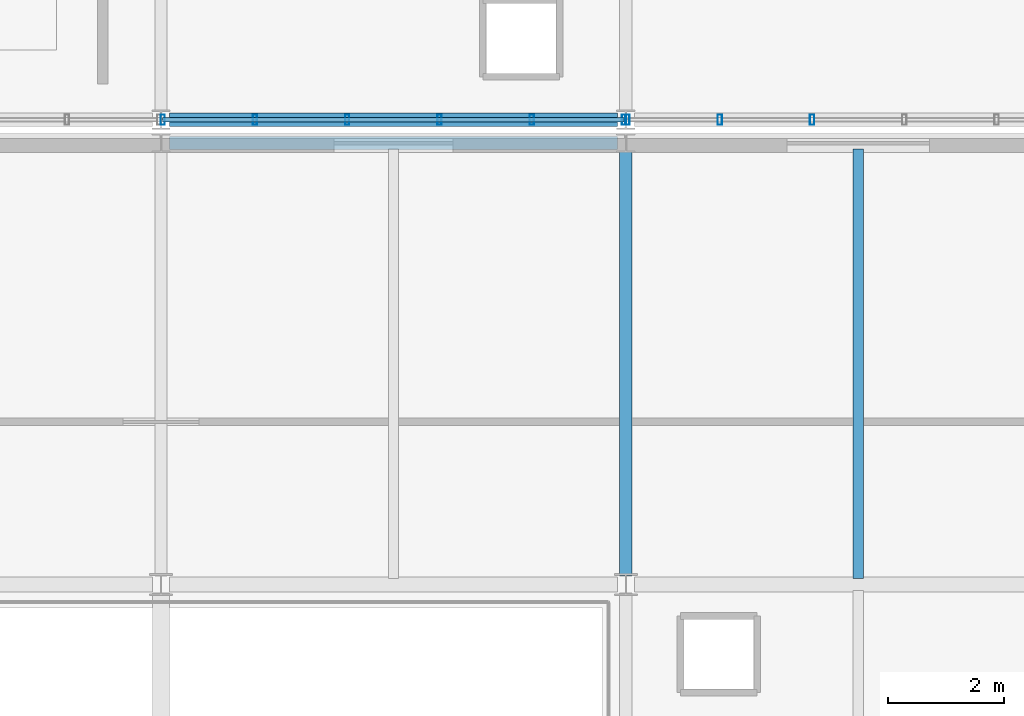
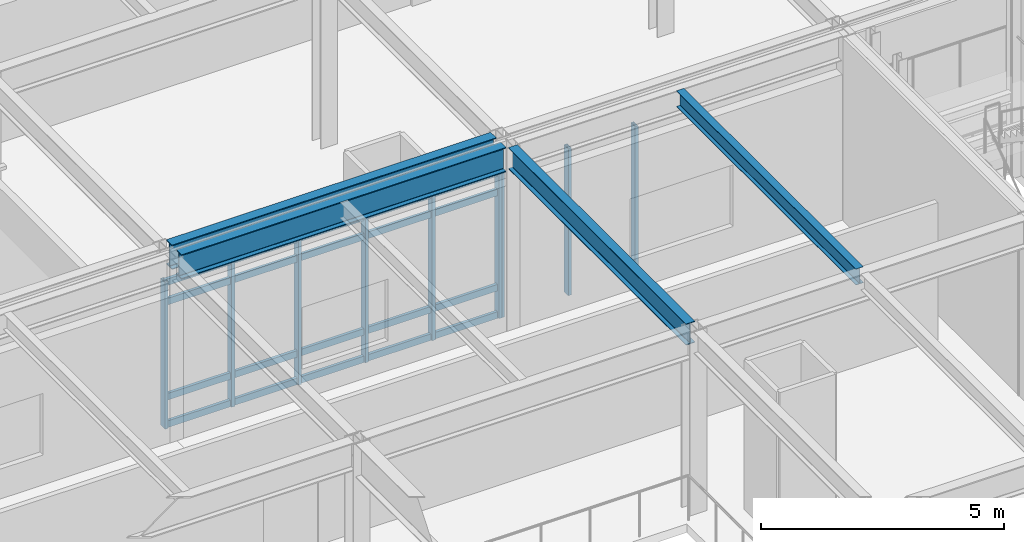
# One storey, part 65 of 104: 13 members, 4 beams, 2 elements without a shape of their own.
"""IFC4 building model written with IfcOpenShell, lengths in metres."""

import ifcopenshell
import ifcopenshell.guid

model = None  # the IFC model being written
_history = None  # IfcOwnerHistory: only IFC2X3 demands one
_inside = {}  # id of a spatial element -> (the spatial element, [elements in it])
_under = {}  # id of a project, library or spatial element -> (it, [spatial elements below it])
_declared = {}  # id of a project -> (the project, [libraries it declares])
_typed = {}  # id of a type object -> (the type object, [elements of that type])
_made_of = {}  # id of a material, layer set ... -> (it, [elements and type objects made of it])


def new_model(schema):
    """Start an empty IFC model of exactly this schema.

    Asked for "IFC4X3", IfcOpenShell would pick the latest addendum, in which some entities
    have other attributes; the version numbers below select the first issue.
    IFC2X3 requires an IfcOwnerHistory on every rooted entity: one is made here for all.
    """
    global model, _history
    if schema == "IFC4X3":
        model = ifcopenshell.file(schema_version=(4, 3, 0, 0))
    else:
        model = ifcopenshell.file(schema=schema)
    _inside.clear()
    _under.clear()
    _declared.clear()
    _typed.clear()
    _made_of.clear()
    _history = None
    if model.schema == "IFC2X3":
        org = make("IfcOrganization", Name="unknown")
        user = make(
            "IfcPersonAndOrganization",
            ThePerson=make("IfcPerson", FamilyName="unknown"),
            TheOrganization=org,
        )
        app = make(
            "IfcApplication",
            ApplicationDeveloper=org,
            Version="unknown",
            ApplicationFullName="unknown",
            ApplicationIdentifier="unknown",
        )
        _history = make(
            "IfcOwnerHistory",
            OwningUser=user,
            OwningApplication=app,
            ChangeAction="ADDED",
            CreationDate=0,
        )
    return model


def make(cls, **values):
    """One entity of the class cls with the attributes given. An attribute that is None is left unset."""
    return model.create_entity(
        cls, **{name: value for name, value in values.items() if value is not None}
    )


def rooted(cls, **values):
    """An entity with a GlobalId (a new one), such as an element, a storey or a relation."""
    return make(cls, GlobalId=ifcopenshell.guid.new(), OwnerHistory=_history, **values)


def si_unit(unit_type, name, prefix=None):
    """IfcSIUnit, for example si_unit("LENGTHUNIT", "METRE", prefix="MILLI")."""
    return make("IfcSIUnit", UnitType=unit_type, Prefix=prefix, Name=name)


def assignment(units):
    """IfcUnitAssignment: the units of a project."""
    return None if units is None else make("IfcUnitAssignment", Units=units)


def point(xyz):
    """IfcCartesianPoint."""
    return None if xyz is None else make("IfcCartesianPoint", Coordinates=xyz)


def direction(xyz):
    """IfcDirection."""
    return None if xyz is None else make("IfcDirection", DirectionRatios=xyz)


def frame(location, z_axis=None, x_axis=None):
    """IfcAxis2Placement3D, a coordinate frame: its origin and axes. An axis left out is left unset."""
    return make(
        "IfcAxis2Placement3D",
        Location=point(location),
        Axis=direction(z_axis),
        RefDirection=direction(x_axis),
    )


def frame_2d(location, x_axis=None):
    """IfcAxis2Placement2D, a coordinate frame in the plane: its origin and x axis."""
    return make(
        "IfcAxis2Placement2D", Location=point(location), RefDirection=direction(x_axis)
    )


def origin():
    """The frame at (0, 0, 0) with its axes left unset."""
    return frame((0.0, 0.0, 0.0))


def origin_2d():
    """The frame at (0, 0) in the plane with its x axis left unset."""
    return frame_2d((0.0, 0.0))


def place(relative_to, where):
    """IfcLocalPlacement: puts the frame where relative to a parent placement (None: the world)."""
    return make(
        "IfcLocalPlacement", PlacementRelTo=relative_to, RelativePlacement=where
    )


def context(
    kind, dimensions, precision=None, world=None, true_north=None, identifier=None
):
    """IfcGeometricRepresentationContext, for example the 3D "Model" context."""
    return make(
        "IfcGeometricRepresentationContext",
        ContextIdentifier=identifier,
        ContextType=kind,
        CoordinateSpaceDimension=dimensions,
        Precision=precision,
        WorldCoordinateSystem=world,
        TrueNorth=true_north,
    )


def subcontext(parent, identifier, kind, view, scale=None):
    """IfcGeometricRepresentationSubContext, for example "Body" below "Model"."""
    return make(
        "IfcGeometricRepresentationSubContext",
        ContextIdentifier=identifier,
        ContextType=kind,
        ParentContext=parent,
        TargetScale=scale,
        TargetView=view,
    )


def project(units=None, contexts=None):
    """IfcProject with its units and contexts."""
    return rooted(
        "IfcProject",
        Name="project",
        RepresentationContexts=contexts,
        UnitsInContext=assignment(units),
    )


def spatial(cls, under=None, at=None, **own):
    """A site, building, storey or space (cls), placed at a placement, below another one or the project."""
    s = rooted(cls, ObjectPlacement=at, **own)
    if under is not None:
        _under.setdefault(under.id(), (under, []))[1].append(s)
    return s


def profile(cls, at=None, kind="AREA", **sizes):
    """A parametric profile (cls). Its sizes go by their IFC names, for example OverallWidth=200.0."""
    return make(cls, ProfileType=kind, Position=at, **sizes)


def hollow_rectangle(**sizes):
    """IfcRectangleHollowProfileDef."""
    return profile("IfcRectangleHollowProfileDef", **sizes)


def i_section(**sizes):
    """IfcIShapeProfileDef."""
    return profile("IfcIShapeProfileDef", **sizes)


def extrude(swept, where, along, depth):
    """IfcExtrudedAreaSolid: the profile swept, set in the frame where, extruded along a direction by depth."""
    return make(
        "IfcExtrudedAreaSolid",
        SweptArea=swept,
        Position=where,
        ExtrudedDirection=direction(along),
        Depth=depth,
    )


def shape(context_of_items, identifier, shape_type, items):
    """IfcShapeRepresentation: the items that make up one representation, for example the "Body"."""
    return make(
        "IfcShapeRepresentation",
        ContextOfItems=context_of_items,
        RepresentationIdentifier=identifier,
        RepresentationType=shape_type,
        Items=items,
    )


def material(Name=None, Category=None):
    """IfcMaterial."""
    return make("IfcMaterial", Name=Name, Category=Category)


def material_profile(
    of_material, cross_section, Name=None, Category=None, Priority=None
):
    """IfcMaterialProfile: a cross section and its material."""
    return make(
        "IfcMaterialProfile",
        Name=Name,
        Material=of_material,
        Profile=cross_section,
        Priority=Priority,
        Category=Category,
    )


def profile_set(profiles, Name=None, composite=None):
    """IfcMaterialProfileSet."""
    return make(
        "IfcMaterialProfileSet",
        Name=Name,
        MaterialProfiles=profiles,
        CompositeProfile=composite,
    )


def made_of(thing, what):
    """Note that an element or type object is made of a material, layer set ...; save() writes the relation."""
    if what is not None:
        _made_of.setdefault(what.id(), (what, []))[1].append(thing)
    return thing


def type_object(cls, material=None, **own):
    """A type object (cls), such as IfcWallType, which elements share."""
    return made_of(rooted(cls, **own), material)


def element(
    cls,
    number,
    at=None,
    inside=None,
    cuts=None,
    type_object=None,
    material=None,
    context=None,
    identifier="Body",
    shape_type=None,
    held_by="IfcProductDefinitionShape",
    body=None,
    shapes=None,
    **own,
):
    """One element of the class cls, such as IfcWall. Its Tag is "e" and its number.

    at: its placement. inside: the storey or other place that contains it. cuts: it is an
    opening in that element (IfcRelVoidsElement). A single representation is given by context,
    identifier, shape_type and body (its items); several are given by shapes. held_by: the class
    of the entity that holds the representations. save() writes the other relations.
    """
    e = rooted(cls, Tag="e%d" % number, ObjectPlacement=at, **own)
    if body is not None:
        shapes = [shape(context, identifier, shape_type, body)]
    if shapes is not None:
        e.Representation = make(held_by, Representations=shapes)
    if inside is not None:
        _inside.setdefault(inside.id(), (inside, []))[1].append(e)
    if cuts is not None:
        rooted(
            "IfcRelVoidsElement", RelatingBuildingElement=cuts, RelatedOpeningElement=e
        )
    if type_object is not None:
        _typed.setdefault(type_object.id(), (type_object, []))[1].append(e)
    return made_of(e, material)


def aggregate(whole, parts):
    """IfcRelAggregates: a whole, such as a stair, and the parts it consists of."""
    return rooted("IfcRelAggregates", RelatingObject=whole, RelatedObjects=parts)


def save(model, path):
    """Write the relations noted so far, then the file.

    IfcRelAggregates (storeys below a building ...), IfcRelContainedInSpatialStructure (elements
    in a storey), IfcRelDefinesByType, IfcRelAssociatesMaterial and IfcRelDeclares: one each for
    every whole, place, type object, material and project.
    """
    for whole, parts in _under.values():
        aggregate(whole, parts)
    for where, things in _inside.values():
        rooted(
            "IfcRelContainedInSpatialStructure",
            RelatedElements=things,
            RelatingStructure=where,
        )
    for kind, things in _typed.values():
        rooted("IfcRelDefinesByType", RelatedObjects=things, RelatingType=kind)
    for what, things in _made_of.values():
        rooted("IfcRelAssociatesMaterial", RelatedObjects=things, RelatingMaterial=what)
    for by, libraries in _declared.values():
        rooted("IfcRelDeclares", RelatingContext=by, RelatedDefinitions=libraries)
    model.write(path)


model = new_model("IFC4")

# Units and contexts
model_context = context("Model", 3, precision=1e-05, world=origin(), true_north=direction((0.0, 1.0)))
body_context = subcontext(model_context, "Body", "Model", "MODEL_VIEW")
ifc_project = project(units=[si_unit("LENGTHUNIT", "METRE"), si_unit("AREAUNIT", "SQUARE_METRE"), si_unit("VOLUMEUNIT", "CUBIC_METRE"), si_unit("PLANEANGLEUNIT", "RADIAN"), si_unit("MASSUNIT", "GRAM", prefix="KILO")], contexts=[model_context])

# Site, building, storey
site_placement = place(None, origin())
site = spatial("IfcSite", under=ifc_project, at=site_placement, CompositionType="ELEMENT")
building_placement = place(site_placement, origin())
building = spatial("IfcBuilding", under=site, at=building_placement, Name="Zulena Civic Courthouse", CompositionType="ELEMENT")
storey_placement = place(building_placement, frame((0.0, 0.0, 10.800048828125)))
storey = spatial("IfcBuildingStorey", under=building, at=storey_placement, Name="L02", CompositionType="ELEMENT", Elevation=10.800048828125)

# Curtain wall, members
ifc_material_1 = material(Name="Double-silver low-E laminated solar-control glass", Category="glass")
curtain_wall_type = type_object("IfcCurtainWallType", Name="CW_7940x3690", PredefinedType="USERDEFINED", material=ifc_material_1)
curtain_wall_1_placement = place(storey_placement, origin())
curtain_wall_1 = element("IfcCurtainWall", 1, at=curtain_wall_1_placement, inside=storey, type_object=curtain_wall_type, Name="cw:V3:L02:3:1", ObjectType="UNITISED CURTAIN WALL", PredefinedType="USERDEFINED")
ifc_material_2 = material(Name="Bronze anodised thermally broken aluminium AA6063-T6", Category="aluminium")
ifc_material_profile_1 = material_profile(ifc_material_2, hollow_rectangle(XDim=0.074951171875, YDim=0.179931640625, WallThickness=0.0048828125, at=origin_2d()), Name="CWM180X75X5")
ifc_profile_set_1 = profile_set([ifc_material_profile_1], Name="Bronze anodised thermally broken aluminium AA6063-T6")
member_type_1 = type_object("IfcMemberType", Name="CWMullion_180x75", PredefinedType="MULLION", material=ifc_profile_set_1)
member_1_placement = place(storey_placement, frame((159.2060546875, 30.800048828125, 0.0), z_axis=(0.0, 0.0, 1.0), x_axis=(1.0, 0.0, 0.0)))
member_1 = element("IfcMember", 2, at=member_1_placement, type_object=member_type_1, Name="cw:V3:L02:3:1:mull:3", PredefinedType="MULLION", context=body_context, shape_type="SweptSolid", body=[
    extrude(hollow_rectangle(XDim=0.074951171875, YDim=0.179931640625, WallThickness=0.0048828125, at=origin_2d()), origin(), (0.0, 0.0, 1.0), 3.68994140625),
])
member_2_placement = place(storey_placement, frame((157.617919921875, 30.800048828125, 0.0), z_axis=(0.0, 0.0, 1.0), x_axis=(1.0, 0.0, 0.0)))
member_2 = element("IfcMember", 3, at=member_2_placement, type_object=member_type_1, Name="cw:V3:L02:3:1:mull:4", PredefinedType="MULLION", context=body_context, shape_type="SweptSolid", body=[
    extrude(hollow_rectangle(XDim=0.074951171875, YDim=0.179931640625, WallThickness=0.0048828125, at=origin_2d()), origin(), (0.0, 0.0, 1.0), 3.68994140625),
])
member_3_placement = place(storey_placement, frame((156.030029296875, 30.800048828125, 0.0), z_axis=(0.0, 0.0, 1.0), x_axis=(1.0, 0.0, 0.0)))
member_3 = element("IfcMember", 4, at=member_3_placement, type_object=member_type_1, Name="cw:V3:L02:3:1:mull:5", PredefinedType="MULLION", context=body_context, shape_type="SweptSolid", body=[
    extrude(hollow_rectangle(XDim=0.074951171875, YDim=0.179931640625, WallThickness=0.0048828125, at=origin_2d()), origin(), (0.0, 0.0, 1.0), 3.68994140625),
])
aggregate(curtain_wall_1, [member_1, member_2, member_3])

curtain_wall_2_placement = place(storey_placement, origin())
curtain_wall_2 = element("IfcCurtainWall", 5, at=curtain_wall_2_placement, inside=storey, type_object=curtain_wall_type, Name="cw:V3:L02:3:2", ObjectType="UNITISED CURTAIN WALL", PredefinedType="USERDEFINED")
member_4_placement = place(storey_placement, frame((155.969970703125, 30.800048828125, 0.0), z_axis=(0.0, 0.0, 1.0), x_axis=(1.0, 0.0, 0.0)))
member_4 = element("IfcMember", 6, at=member_4_placement, type_object=member_type_1, Name="cw:V3:L02:3:2:mull:0", PredefinedType="MULLION", context=body_context, shape_type="SweptSolid", body=[
    extrude(hollow_rectangle(XDim=0.074951171875, YDim=0.179931640625, WallThickness=0.0048828125, at=origin_2d()), origin(), (0.0, 0.0, 1.0), 3.68994140625),
])
member_5_placement = place(storey_placement, frame((154.382080078125, 30.800048828125, 0.0), z_axis=(0.0, 0.0, 1.0), x_axis=(1.0, 0.0, 0.0)))
member_5 = element("IfcMember", 7, at=member_5_placement, type_object=member_type_1, Name="cw:V3:L02:3:2:mull:1", PredefinedType="MULLION", context=body_context, shape_type="SweptSolid", body=[
    extrude(hollow_rectangle(XDim=0.074951171875, YDim=0.179931640625, WallThickness=0.0048828125, at=origin_2d()), origin(), (0.0, 0.0, 1.0), 3.68994140625),
])
member_6_placement = place(storey_placement, frame((152.7939453125, 30.800048828125, 0.0), z_axis=(0.0, 0.0, 1.0), x_axis=(1.0, 0.0, 0.0)))
member_6 = element("IfcMember", 8, at=member_6_placement, type_object=member_type_1, Name="cw:V3:L02:3:2:mull:2", PredefinedType="MULLION", context=body_context, shape_type="SweptSolid", body=[
    extrude(hollow_rectangle(XDim=0.074951171875, YDim=0.179931640625, WallThickness=0.0048828125, at=origin_2d()), origin(), (0.0, 0.0, 1.0), 3.68994140625),
])
member_7_placement = place(storey_placement, frame((151.2060546875, 30.800048828125, 0.0), z_axis=(0.0, 0.0, 1.0), x_axis=(1.0, 0.0, 0.0)))
member_7 = element("IfcMember", 9, at=member_7_placement, type_object=member_type_1, Name="cw:V3:L02:3:2:mull:3", PredefinedType="MULLION", context=body_context, shape_type="SweptSolid", body=[
    extrude(hollow_rectangle(XDim=0.074951171875, YDim=0.179931640625, WallThickness=0.0048828125, at=origin_2d()), origin(), (0.0, 0.0, 1.0), 3.68994140625),
])
member_8_placement = place(storey_placement, frame((149.617919921875, 30.800048828125, 0.0), z_axis=(0.0, 0.0, 1.0), x_axis=(1.0, 0.0, 0.0)))
member_8 = element("IfcMember", 10, at=member_8_placement, type_object=member_type_1, Name="cw:V3:L02:3:2:mull:4", PredefinedType="MULLION", context=body_context, shape_type="SweptSolid", body=[
    extrude(hollow_rectangle(XDim=0.074951171875, YDim=0.179931640625, WallThickness=0.0048828125, at=origin_2d()), origin(), (0.0, 0.0, 1.0), 3.68994140625),
])
member_9_placement = place(storey_placement, frame((148.030029296875, 30.800048828125, 0.0), z_axis=(0.0, 0.0, 1.0), x_axis=(1.0, 0.0, 0.0)))
member_9 = element("IfcMember", 11, at=member_9_placement, type_object=member_type_1, Name="cw:V3:L02:3:2:mull:5", PredefinedType="MULLION", context=body_context, shape_type="SweptSolid", body=[
    extrude(hollow_rectangle(XDim=0.074951171875, YDim=0.179931640625, WallThickness=0.0048828125, at=origin_2d()), origin(), (0.0, 0.0, 1.0), 3.68994140625),
])
ifc_material_profile_2 = material_profile(ifc_material_2, hollow_rectangle(XDim=0.070068359375, YDim=0.1650390625, WallThickness=0.00390625, at=origin_2d()), Name="CWT165X70X4")
ifc_profile_set_2 = profile_set([ifc_material_profile_2], Name="Bronze anodised thermally broken aluminium AA6063-T6")
member_type_2 = type_object("IfcMemberType", Name="CWTransom_165x70", PredefinedType="USERDEFINED", material=ifc_profile_set_2)
member_10_placement = place(storey_placement, frame((155.969970703125, 30.800048828125, 0.06005859375), z_axis=(-1.0, 0.0, 0.0), x_axis=(0.0, -1.0, 0.0)))
member_10 = element("IfcMember", 12, at=member_10_placement, type_object=member_type_2, Name="cw:V3:L02:3:2:tran:0", ObjectType="TRANSOM", PredefinedType="USERDEFINED", context=body_context, shape_type="SweptSolid", body=[
    extrude(hollow_rectangle(XDim=0.070068359375, YDim=0.1650390625, WallThickness=0.00390625, at=origin_2d()), origin(), (0.0, 0.0, 1.0), 7.93994140625),
])
member_11_placement = place(storey_placement, frame((155.969970703125, 30.800048828125, 0.75), z_axis=(-1.0, 0.0, 0.0), x_axis=(0.0, -1.0, 0.0)))
member_11 = element("IfcMember", 13, at=member_11_placement, type_object=member_type_2, Name="cw:V3:L02:3:2:tran:1", ObjectType="TRANSOM", PredefinedType="USERDEFINED", context=body_context, shape_type="SweptSolid", body=[
    extrude(hollow_rectangle(XDim=0.070068359375, YDim=0.1650390625, WallThickness=0.00390625, at=origin_2d()), origin(), (0.0, 0.0, 1.0), 7.93994140625),
])
member_12_placement = place(storey_placement, frame((155.969970703125, 30.800048828125, 3.139892578125), z_axis=(-1.0, 0.0, 0.0), x_axis=(0.0, -1.0, 0.0)))
member_12 = element("IfcMember", 14, at=member_12_placement, type_object=member_type_2, Name="cw:V3:L02:3:2:tran:2", ObjectType="TRANSOM", PredefinedType="USERDEFINED", context=body_context, shape_type="SweptSolid", body=[
    extrude(hollow_rectangle(XDim=0.070068359375, YDim=0.1650390625, WallThickness=0.00390625, at=origin_2d()), origin(), (0.0, 0.0, 1.0), 7.93994140625),
])
member_13_placement = place(storey_placement, frame((155.969970703125, 30.800048828125, 3.6298828125), z_axis=(-1.0, 0.0, 0.0), x_axis=(0.0, -1.0, 0.0)))
member_13 = element("IfcMember", 15, at=member_13_placement, type_object=member_type_2, Name="cw:V3:L02:3:2:tran:3", ObjectType="TRANSOM", PredefinedType="USERDEFINED", context=body_context, shape_type="SweptSolid", body=[
    extrude(hollow_rectangle(XDim=0.070068359375, YDim=0.1650390625, WallThickness=0.00390625, at=origin_2d()), origin(), (0.0, 0.0, 1.0), 7.93994140625),
])
aggregate(curtain_wall_2, [member_4, member_5, member_6, member_7, member_8, member_9, member_10, member_11, member_12, member_13])

# Beams
ifc_material_3 = material(Name="Steel ASTM A992 Grade 50", Category="steel")
ifc_material_profile_3 = material_profile(ifc_material_3, i_section(OverallWidth=0.177978515625, OverallDepth=0.406005859375, WebThickness=0.0078125, FlangeThickness=0.0126953125, FilletRadius=0.01025390625, at=origin_2d()), Name="W16X40")
ifc_profile_set_3 = profile_set([ifc_material_profile_3], Name="Steel ASTM A992 Grade 50")
beam_type_1 = type_object("IfcBeamType", Name="Joist_W16X40", PredefinedType="JOIST", material=ifc_profile_set_3)
beam_1_placement = place(storey_placement, frame((160.0, 22.905029296875, 4.386962890625), z_axis=(0.0, 1.0, 0.0), x_axis=(-1.0, 0.0, 0.0)))
element("IfcBeam", 16, at=beam_1_placement, inside=storey, type_object=beam_type_1, Name="joist:V1:L02:160.00:22.8_30.4", PredefinedType="JOIST", context=body_context, shape_type="SweptSolid", body=[
    extrude(i_section(OverallWidth=0.177978515625, OverallDepth=0.406005859375, WebThickness=0.0078125, FlangeThickness=0.0126953125, FilletRadius=0.01025390625, at=origin_2d()), origin(), (0.0, 0.0, 1.0), 7.389892578125),
])
ifc_material_profile_4 = material_profile(ifc_material_3, i_section(OverallWidth=0.2099609375, OverallDepth=0.537109375, WebThickness=0.010986328125, FlangeThickness=0.017333984375, FilletRadius=0.0126953125, at=origin_2d()), Name="W21X68")
ifc_profile_set_4 = profile_set([ifc_material_profile_4], Name="Steel ASTM A992 Grade 50")
beam_type_2 = type_object("IfcBeamType", Name="Spandrel_W21X68", PredefinedType="SPANDREL", material=ifc_profile_set_4)
beam_2_placement = place(storey_placement, frame((156.0, 22.945068359375, 4.321533203125), z_axis=(0.0, 1.0, 0.0), x_axis=(-1.0, 0.0, 0.0)))
element("IfcBeam", 17, at=beam_2_placement, inside=storey, type_object=beam_type_2, Name="beam:Y:V1:L02:156.0:22.8_30.4", PredefinedType="SPANDREL", context=body_context, shape_type="SweptSolid", body=[
    extrude(i_section(OverallWidth=0.2099609375, OverallDepth=0.537109375, WebThickness=0.010986328125, FlangeThickness=0.017333984375, FilletRadius=0.0126953125, at=origin_2d()), origin(), (0.0, 0.0, 1.0), 7.309814453125),
])
ifc_material_profile_5 = material_profile(ifc_material_3, i_section(OverallWidth=0.22998046875, OverallDepth=0.616943359375, WebThickness=0.01318359375, FlangeThickness=0.022216796875, FilletRadius=0.0126953125, at=origin_2d()), Name="W24X94")
ifc_profile_set_5 = profile_set([ifc_material_profile_5], Name="Steel ASTM A992 Grade 50")
beam_type_3 = type_object("IfcBeamType", Name="Spandrel_W24X94", PredefinedType="SPANDREL", material=ifc_profile_set_5)
for number, where, z_axis, x_axis, name in (
    (18, (148.14501953125, 30.39990234375, 4.281494140625), (1.0, 0.0, 0.0), (0.0, 1.0, 0.0), "beam:X:V1:L02:30.4:148.0_156.0"),
    (19, (148.14501953125, 30.800048828125, 4.281494140625), (1.0, 0.0, 0.0), (0.0, 1.0, 0.0), "beam:X:V3:L02:30.8:148.0_156.0"),
):
    element("IfcBeam", number, at=place(storey_placement, frame(where, z_axis=z_axis, x_axis=x_axis)), inside=storey, type_object=beam_type_3, Name=name, PredefinedType="SPANDREL", context=body_context, shape_type="SweptSolid", body=[
        extrude(i_section(OverallWidth=0.22998046875, OverallDepth=0.616943359375, WebThickness=0.01318359375, FlangeThickness=0.022216796875, FilletRadius=0.0126953125, at=origin_2d()), origin(), (0.0, 0.0, 1.0), 7.7099609375),
    ])

save(model, "model.ifc")
